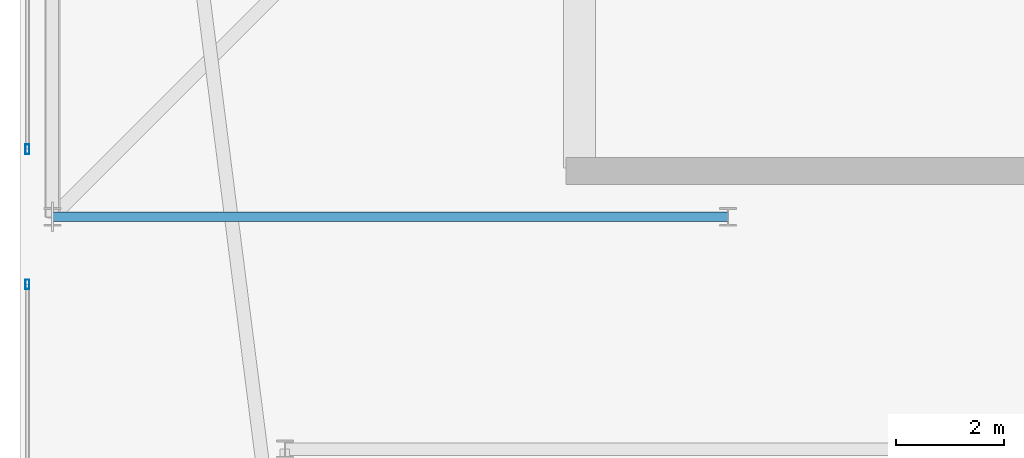
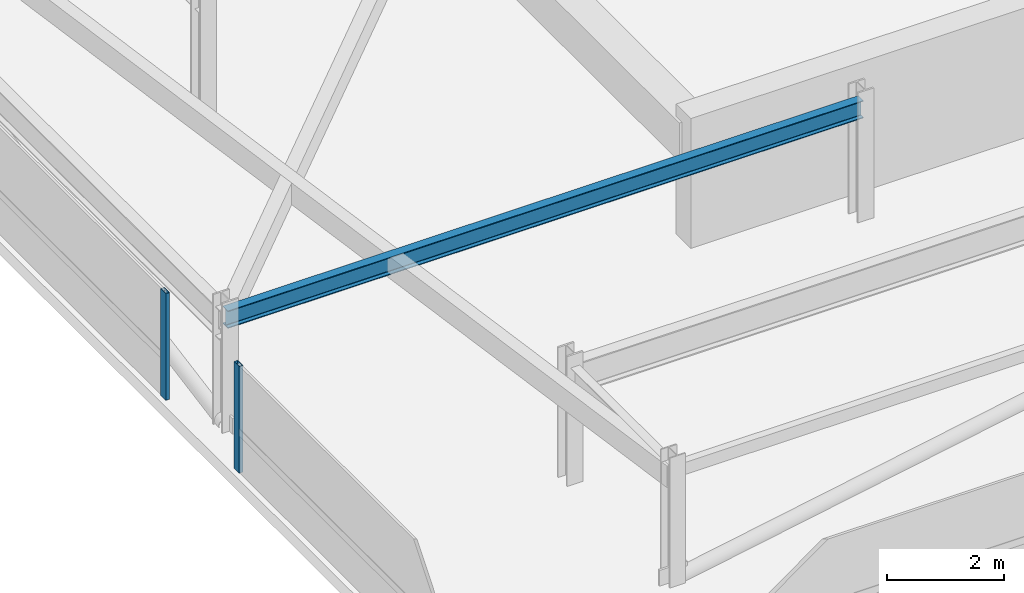
# One storey, part 9 of 42: 2 members, 1 beam, 2 elements without a shape of their own.
"""IFC4 building model written with IfcOpenShell, lengths in metres."""

import ifcopenshell
import ifcopenshell.guid

model = None  # the IFC model being written
_history = None  # IfcOwnerHistory: only IFC2X3 demands one
_inside = {}  # id of a spatial element -> (the spatial element, [elements in it])
_under = {}  # id of a project, library or spatial element -> (it, [spatial elements below it])
_declared = {}  # id of a project -> (the project, [libraries it declares])
_typed = {}  # id of a type object -> (the type object, [elements of that type])
_made_of = {}  # id of a material, layer set ... -> (it, [elements and type objects made of it])


def new_model(schema):
    """Start an empty IFC model of exactly this schema.

    Asked for "IFC4X3", IfcOpenShell would pick the latest addendum, in which some entities
    have other attributes; the version numbers below select the first issue.
    IFC2X3 requires an IfcOwnerHistory on every rooted entity: one is made here for all.
    """
    global model, _history
    if schema == "IFC4X3":
        model = ifcopenshell.file(schema_version=(4, 3, 0, 0))
    else:
        model = ifcopenshell.file(schema=schema)
    _inside.clear()
    _under.clear()
    _declared.clear()
    _typed.clear()
    _made_of.clear()
    _history = None
    if model.schema == "IFC2X3":
        org = make("IfcOrganization", Name="unknown")
        user = make(
            "IfcPersonAndOrganization",
            ThePerson=make("IfcPerson", FamilyName="unknown"),
            TheOrganization=org,
        )
        app = make(
            "IfcApplication",
            ApplicationDeveloper=org,
            Version="unknown",
            ApplicationFullName="unknown",
            ApplicationIdentifier="unknown",
        )
        _history = make(
            "IfcOwnerHistory",
            OwningUser=user,
            OwningApplication=app,
            ChangeAction="ADDED",
            CreationDate=0,
        )
    return model


def make(cls, **values):
    """One entity of the class cls with the attributes given. An attribute that is None is left unset."""
    return model.create_entity(
        cls, **{name: value for name, value in values.items() if value is not None}
    )


def rooted(cls, **values):
    """An entity with a GlobalId (a new one), such as an element, a storey or a relation."""
    return make(cls, GlobalId=ifcopenshell.guid.new(), OwnerHistory=_history, **values)


def si_unit(unit_type, name, prefix=None):
    """IfcSIUnit, for example si_unit("LENGTHUNIT", "METRE", prefix="MILLI")."""
    return make("IfcSIUnit", UnitType=unit_type, Prefix=prefix, Name=name)


def assignment(units):
    """IfcUnitAssignment: the units of a project."""
    return None if units is None else make("IfcUnitAssignment", Units=units)


def point(xyz):
    """IfcCartesianPoint."""
    return None if xyz is None else make("IfcCartesianPoint", Coordinates=xyz)


def direction(xyz):
    """IfcDirection."""
    return None if xyz is None else make("IfcDirection", DirectionRatios=xyz)


def frame(location, z_axis=None, x_axis=None):
    """IfcAxis2Placement3D, a coordinate frame: its origin and axes. An axis left out is left unset."""
    return make(
        "IfcAxis2Placement3D",
        Location=point(location),
        Axis=direction(z_axis),
        RefDirection=direction(x_axis),
    )


def frame_2d(location, x_axis=None):
    """IfcAxis2Placement2D, a coordinate frame in the plane: its origin and x axis."""
    return make(
        "IfcAxis2Placement2D", Location=point(location), RefDirection=direction(x_axis)
    )


def origin():
    """The frame at (0, 0, 0) with its axes left unset."""
    return frame((0.0, 0.0, 0.0))


def origin_2d():
    """The frame at (0, 0) in the plane with its x axis left unset."""
    return frame_2d((0.0, 0.0))


def place(relative_to, where):
    """IfcLocalPlacement: puts the frame where relative to a parent placement (None: the world)."""
    return make(
        "IfcLocalPlacement", PlacementRelTo=relative_to, RelativePlacement=where
    )


def context(
    kind, dimensions, precision=None, world=None, true_north=None, identifier=None
):
    """IfcGeometricRepresentationContext, for example the 3D "Model" context."""
    return make(
        "IfcGeometricRepresentationContext",
        ContextIdentifier=identifier,
        ContextType=kind,
        CoordinateSpaceDimension=dimensions,
        Precision=precision,
        WorldCoordinateSystem=world,
        TrueNorth=true_north,
    )


def subcontext(parent, identifier, kind, view, scale=None):
    """IfcGeometricRepresentationSubContext, for example "Body" below "Model"."""
    return make(
        "IfcGeometricRepresentationSubContext",
        ContextIdentifier=identifier,
        ContextType=kind,
        ParentContext=parent,
        TargetScale=scale,
        TargetView=view,
    )


def project(units=None, contexts=None):
    """IfcProject with its units and contexts."""
    return rooted(
        "IfcProject",
        Name="project",
        RepresentationContexts=contexts,
        UnitsInContext=assignment(units),
    )


def spatial(cls, under=None, at=None, **own):
    """A site, building, storey or space (cls), placed at a placement, below another one or the project."""
    s = rooted(cls, ObjectPlacement=at, **own)
    if under is not None:
        _under.setdefault(under.id(), (under, []))[1].append(s)
    return s


def profile(cls, at=None, kind="AREA", **sizes):
    """A parametric profile (cls). Its sizes go by their IFC names, for example OverallWidth=200.0."""
    return make(cls, ProfileType=kind, Position=at, **sizes)


def hollow_rectangle(**sizes):
    """IfcRectangleHollowProfileDef."""
    return profile("IfcRectangleHollowProfileDef", **sizes)


def i_section(**sizes):
    """IfcIShapeProfileDef."""
    return profile("IfcIShapeProfileDef", **sizes)


def extrude(swept, where, along, depth):
    """IfcExtrudedAreaSolid: the profile swept, set in the frame where, extruded along a direction by depth."""
    return make(
        "IfcExtrudedAreaSolid",
        SweptArea=swept,
        Position=where,
        ExtrudedDirection=direction(along),
        Depth=depth,
    )


def shape(context_of_items, identifier, shape_type, items):
    """IfcShapeRepresentation: the items that make up one representation, for example the "Body"."""
    return make(
        "IfcShapeRepresentation",
        ContextOfItems=context_of_items,
        RepresentationIdentifier=identifier,
        RepresentationType=shape_type,
        Items=items,
    )


def material(Name=None, Category=None):
    """IfcMaterial."""
    return make("IfcMaterial", Name=Name, Category=Category)


def material_profile(
    of_material, cross_section, Name=None, Category=None, Priority=None
):
    """IfcMaterialProfile: a cross section and its material."""
    return make(
        "IfcMaterialProfile",
        Name=Name,
        Material=of_material,
        Profile=cross_section,
        Priority=Priority,
        Category=Category,
    )


def profile_set(profiles, Name=None, composite=None):
    """IfcMaterialProfileSet."""
    return make(
        "IfcMaterialProfileSet",
        Name=Name,
        MaterialProfiles=profiles,
        CompositeProfile=composite,
    )


def made_of(thing, what):
    """Note that an element or type object is made of a material, layer set ...; save() writes the relation."""
    if what is not None:
        _made_of.setdefault(what.id(), (what, []))[1].append(thing)
    return thing


def type_object(cls, material=None, **own):
    """A type object (cls), such as IfcWallType, which elements share."""
    return made_of(rooted(cls, **own), material)


def element(
    cls,
    number,
    at=None,
    inside=None,
    cuts=None,
    type_object=None,
    material=None,
    context=None,
    identifier="Body",
    shape_type=None,
    held_by="IfcProductDefinitionShape",
    body=None,
    shapes=None,
    **own,
):
    """One element of the class cls, such as IfcWall. Its Tag is "e" and its number.

    at: its placement. inside: the storey or other place that contains it. cuts: it is an
    opening in that element (IfcRelVoidsElement). A single representation is given by context,
    identifier, shape_type and body (its items); several are given by shapes. held_by: the class
    of the entity that holds the representations. save() writes the other relations.
    """
    e = rooted(cls, Tag="e%d" % number, ObjectPlacement=at, **own)
    if body is not None:
        shapes = [shape(context, identifier, shape_type, body)]
    if shapes is not None:
        e.Representation = make(held_by, Representations=shapes)
    if inside is not None:
        _inside.setdefault(inside.id(), (inside, []))[1].append(e)
    if cuts is not None:
        rooted(
            "IfcRelVoidsElement", RelatingBuildingElement=cuts, RelatedOpeningElement=e
        )
    if type_object is not None:
        _typed.setdefault(type_object.id(), (type_object, []))[1].append(e)
    return made_of(e, material)


def aggregate(whole, parts):
    """IfcRelAggregates: a whole, such as a stair, and the parts it consists of."""
    return rooted("IfcRelAggregates", RelatingObject=whole, RelatedObjects=parts)


def save(model, path):
    """Write the relations noted so far, then the file.

    IfcRelAggregates (storeys below a building ...), IfcRelContainedInSpatialStructure (elements
    in a storey), IfcRelDefinesByType, IfcRelAssociatesMaterial and IfcRelDeclares: one each for
    every whole, place, type object, material and project.
    """
    for whole, parts in _under.values():
        aggregate(whole, parts)
    for where, things in _inside.values():
        rooted(
            "IfcRelContainedInSpatialStructure",
            RelatedElements=things,
            RelatingStructure=where,
        )
    for kind, things in _typed.values():
        rooted("IfcRelDefinesByType", RelatedObjects=things, RelatingType=kind)
    for what, things in _made_of.values():
        rooted("IfcRelAssociatesMaterial", RelatedObjects=things, RelatingMaterial=what)
    for by, libraries in _declared.values():
        rooted("IfcRelDeclares", RelatingContext=by, RelatedDefinitions=libraries)
    model.write(path)


model = new_model("IFC4")

# Units and contexts
model_context = context("Model", 3, precision=1e-05, world=origin(), true_north=direction((0.0, 1.0)))
body_context = subcontext(model_context, "Body", "Model", "MODEL_VIEW")
ifc_project = project(units=[si_unit("LENGTHUNIT", "METRE"), si_unit("AREAUNIT", "SQUARE_METRE"), si_unit("VOLUMEUNIT", "CUBIC_METRE"), si_unit("PLANEANGLEUNIT", "RADIAN"), si_unit("MASSUNIT", "GRAM", prefix="KILO")], contexts=[model_context])

# Site, building, storey
site_placement = place(None, origin())
site = spatial("IfcSite", under=ifc_project, at=site_placement, CompositionType="ELEMENT")
building_placement = place(site_placement, origin())
building = spatial("IfcBuilding", under=site, at=building_placement, Name="Thornwick Lancets Civic Towers", CompositionType="ELEMENT")
storey_placement = place(building_placement, frame((0.0, 0.0, 286.800048828125)))
storey = spatial("IfcBuildingStorey", under=building, at=storey_placement, Name="C03", CompositionType="ELEMENT", Elevation=286.800048828125)

# Beam
ifc_material_1 = material(Name="Steel S355JR", Category="steel")
ifc_material_profile_1 = material_profile(ifc_material_1, i_section(OverallWidth=0.173095703125, OverallDepth=0.36328125, WebThickness=0.009033203125, FlangeThickness=0.015625, FilletRadius=0.01025390625, at=origin_2d()), Name="UKB 356x171x67")
ifc_profile_set_1 = profile_set([ifc_material_profile_1], Name="Steel S355JR")
beam_type = type_object("IfcBeamType", Name="BM_JOIST_356_67", PredefinedType="JOIST", material=ifc_profile_set_1)
beam_placement = place(storey_placement, frame((20.699951171875, 14.0, 2.25830078125), z_axis=(-1.0, 0.0, 0.0), x_axis=(0.0, -1.0, 0.0)))
element("IfcBeam", 1, at=beam_placement, inside=storey, type_object=beam_type, Name="BM-RADIN-C03-A10", PredefinedType="JOIST", context=body_context, shape_type="SweptSolid", body=[
    extrude(i_section(OverallWidth=0.173095703125, OverallDepth=0.36328125, WebThickness=0.009033203125, FlangeThickness=0.015625, FilletRadius=0.01025390625, at=origin_2d()), origin(), (0.0, 0.0, 1.0), 12.5),
])

# Curtain wall, member
ifc_material_2 = material(Name="Crown ring acoustic-louvre and glazing screen wall", Category="glass")
curtain_wall_type = type_object("IfcCurtainWallType", Name="CW_SYS_07", PredefinedType="NOTDEFINED", material=ifc_material_2)
curtain_wall_1_placement = place(storey_placement, origin())
curtain_wall_1 = element("IfcCurtainWall", 2, at=curtain_wall_1_placement, inside=storey, type_object=curtain_wall_type, Name="C03 Curtain Wall CW-C03-A-E6-S2", PredefinedType="NOTDEFINED")
ifc_material_3 = material(Name="Thermally broken bronze aluminium S355", Category="steel")
ifc_material_profile_2 = material_profile(ifc_material_3, hollow_rectangle(XDim=0.074951171875, YDim=0.179931640625, WallThickness=0.006103515625, at=origin_2d()), Name="RHS 180x75x6")
ifc_profile_set_2 = profile_set([ifc_material_profile_2], Name="Thermally broken bronze aluminium S355")
member_type = type_object("IfcMemberType", Name="CW_MUL_180", PredefinedType="MULLION", material=ifc_profile_set_2)
member_1_placement = place(storey_placement, frame((7.7353515625, 15.25, 0.0), z_axis=(0.0, 0.0, 1.0), x_axis=(1.0, 0.0, 0.0)))
member_1 = element("IfcMember", 3, at=member_1_placement, type_object=member_type, Name="CW-C03-A-E6-S2 Mullion 1", PredefinedType="MULLION", context=body_context, shape_type="SweptSolid", body=[
    extrude(hollow_rectangle(XDim=0.074951171875, YDim=0.179931640625, WallThickness=0.006103515625, at=origin_2d()), origin(), (0.0, 0.0, 1.0), 2.219970703125),
])
aggregate(curtain_wall_1, [member_1])

curtain_wall_2_placement = place(storey_placement, origin())
curtain_wall_2 = element("IfcCurtainWall", 4, at=curtain_wall_2_placement, inside=storey, type_object=curtain_wall_type, Name="C03 Curtain Wall CW-C03-A-E6-S3", PredefinedType="NOTDEFINED")
member_2_placement = place(storey_placement, frame((7.7353515625, 12.75, 0.0), z_axis=(0.0, 0.0, 1.0), x_axis=(1.0, 0.0, 0.0)))
member_2 = element("IfcMember", 5, at=member_2_placement, type_object=member_type, Name="CW-C03-A-E6-S3 Mullion 0", PredefinedType="MULLION", context=body_context, shape_type="SweptSolid", body=[
    extrude(hollow_rectangle(XDim=0.074951171875, YDim=0.179931640625, WallThickness=0.006103515625, at=origin_2d()), origin(), (0.0, 0.0, 1.0), 2.219970703125),
])
aggregate(curtain_wall_2, [member_2])

save(model, "model.ifc")
